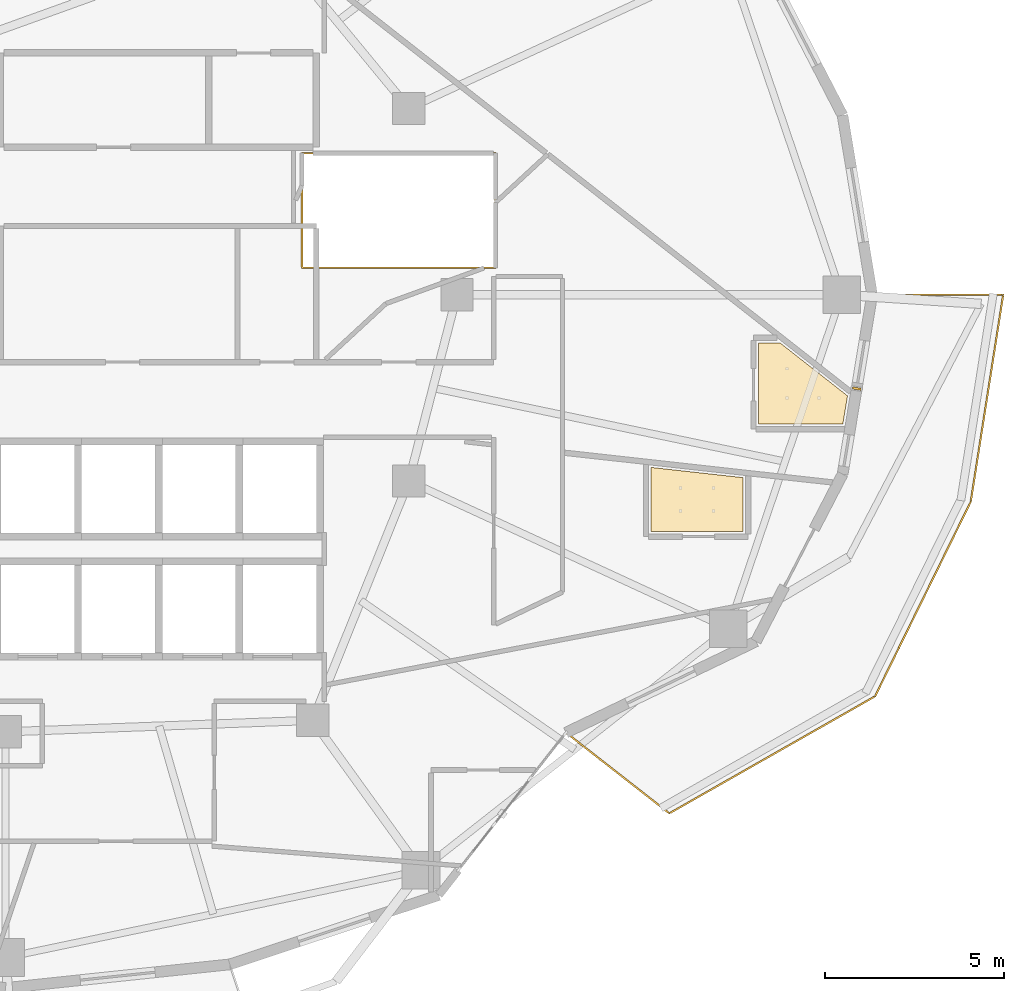
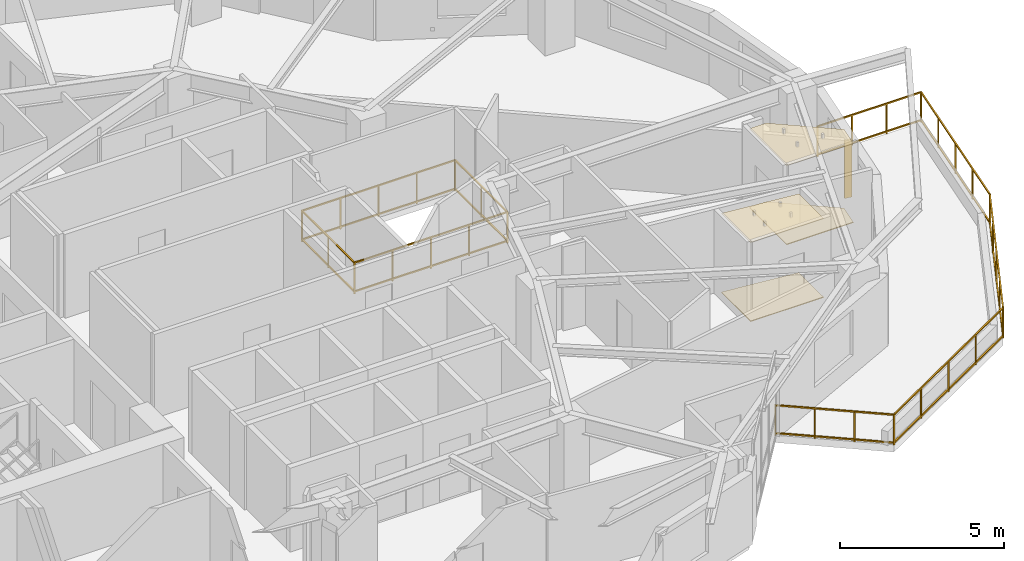
# One storey, part 17 of 18: 4 coverings, 2 railings, 1 shading device.
"""IFC4 building model written with IfcOpenShell, lengths in metres."""

from ifc_helpers import new_model, si_unit, direction, frame, origin, origin_2d, place, context, subcontext, project, spatial, polyline, rectangle, outline, extrude, material, layer, layer_set, type_object, element, save


model = new_model("IFC4")

# Units and contexts
model_context = context("Model", 3, precision=1e-05, world=origin(), true_north=direction((0.0, 1.0)))
body_context = subcontext(model_context, "Body", "Model", "MODEL_VIEW")
ifc_project = project(units=[si_unit("LENGTHUNIT", "METRE"), si_unit("AREAUNIT", "SQUARE_METRE"), si_unit("VOLUMEUNIT", "CUBIC_METRE"), si_unit("PLANEANGLEUNIT", "RADIAN"), si_unit("MASSUNIT", "GRAM", prefix="KILO")], contexts=[model_context])

# Site, building, storey
site_placement = place(None, origin())
site = spatial("IfcSite", under=ifc_project, at=site_placement, CompositionType="ELEMENT")
building_placement = place(site_placement, origin())
building = spatial("IfcBuilding", under=site, at=building_placement, Name="Kolvaren Gate Tower and Convention Centre", CompositionType="ELEMENT")
storey_placement = place(building_placement, frame((0.0, 0.0, 115.5)))
storey = spatial("IfcBuildingStorey", under=building, at=storey_placement, Name="L28", CompositionType="ELEMENT", Elevation=115.5)

# Coverings
ifc_material_1 = material(Name="Perforated Mineral-Fibre Acoustic Ceiling Tile 18 mm", Category="gypsum")
ifc_layer_1 = layer(ifc_material_1, 0.01806640625)
ifc_layer_set_1 = layer_set([ifc_layer_1], Name="Perforated Mineral-Fibre Acoustic Ceiling Tile 18 mm")
covering_type_1 = type_object("IfcCoveringType", Name="ARCH-COV-CEIL-18", PredefinedType="CEILING", material=ifc_layer_set_1)
covering_1_placement = place(storey_placement, frame((0.0, 0.0, 2.949951171875)))
element("IfcCovering", 1, at=covering_1_placement, inside=storey, type_object=covering_type_1, Name="En-suite Bathroom (HTL-L28-05) Acoustic Suspended Ceiling", PredefinedType="CEILING", context=body_context, shape_type="SweptSolid", body=[
    extrude(outline(polyline([(50.7099609375, 20.389892578125), (48.139892578125, 20.389892578125), (48.139892578125, 22.179931640625), (50.7099609375, 21.89501953125), (50.7099609375, 20.389892578125)])), origin(), (0.0, 0.0, 1.0), 0.01806640625),
])
covering_2_placement = place(storey_placement, frame((0.0, 0.0, 2.949951171875)))
element("IfcCovering", 2, at=covering_2_placement, inside=storey, type_object=covering_type_1, Name="En-suite Bathroom (HTL-L28-06) Acoustic Suspended Ceiling", PredefinedType="CEILING", context=body_context, shape_type="SweptSolid", body=[
    extrude(outline(polyline([(51.139892578125, 23.389892578125), (51.139892578125, 25.659912109375), (51.737060546875, 25.659912109375), (53.625, 24.177978515625), (53.4951171875, 23.389892578125), (51.139892578125, 23.389892578125)])), origin(), (0.0, 0.0, 1.0), 0.01806640625),
])
ifc_material_2 = material(Name="Honed Sabana Limestone Terrazzo Flooring 30 mm", Category="masonry")
ifc_layer_2 = layer(ifc_material_2, 0.030029296875)
ifc_layer_set_2 = layer_set([ifc_layer_2], Name="Honed Sabana Limestone Terrazzo Flooring 30 mm")
covering_type_2 = type_object("IfcCoveringType", Name="ARCH-COV-FLR-30", PredefinedType="FLOORING", material=ifc_layer_set_2)
covering_3_placement = place(storey_placement, origin())
element("IfcCovering", 3, at=covering_3_placement, inside=storey, type_object=covering_type_2, Name="En-suite Bathroom (HTL-L28-05) Interior Finish Flooring", PredefinedType="FLOORING", context=body_context, shape_type="SweptSolid", body=[
    extrude(outline(polyline([(50.7099609375, 20.389892578125), (48.139892578125, 20.389892578125), (48.139892578125, 22.179931640625), (50.7099609375, 21.89501953125), (50.7099609375, 20.389892578125)])), origin(), (0.0, 0.0, 1.0), 0.030029296875),
])
covering_4_placement = place(storey_placement, origin())
element("IfcCovering", 4, at=covering_4_placement, inside=storey, type_object=covering_type_2, Name="En-suite Bathroom (HTL-L28-06) Interior Finish Flooring", PredefinedType="FLOORING", context=body_context, shape_type="SweptSolid", body=[
    extrude(outline(polyline([(51.139892578125, 23.389892578125), (51.139892578125, 25.659912109375), (51.737060546875, 25.659912109375), (53.625, 24.177978515625), (53.4951171875, 23.389892578125), (51.139892578125, 23.389892578125)])), origin(), (0.0, 0.0, 1.0), 0.030029296875),
])

# Railings
ifc_material_3 = material(Name="Laminated Tempered Safety Glass Balustrade 21.5 mm", Category="glass")
railing_type_1 = type_object("IfcRailingType", Name="ARCH-RL-BALUST-1180", PredefinedType="BALUSTRADE", material=ifc_material_3)
railing_1_placement = place(storey_placement, frame((38.39990234375, 27.75, 0.0)))
element("IfcRailing", 5, at=railing_1_placement, inside=storey, type_object=railing_type_1, Name="Tower L28 Atrium Void Safety Balustrade", PredefinedType="BALUSTRADE", context=body_context, shape_type="SweptSolid", body=[
    extrude(rectangle(XDim=0.048095703125, YDim=0.048095703125, at=origin_2d()), frame((0.028076171875, 0.0, 1.15576171875), z_axis=(1.0, 0.0, 0.0), x_axis=(0.0, 1.0, 0.0)), (0.0, 0.0, 1.0), 5.343994140625),
    extrude(rectangle(XDim=0.048095703125, YDim=0.048095703125, at=origin_2d()), frame((0.028076171875, 0.0, 0.083984375), z_axis=(1.0, 0.0, 0.0), x_axis=(0.0, 1.0, 0.0)), (0.0, 0.0, 1.0), 5.343994140625),
    extrude(rectangle(XDim=0.048095703125, YDim=0.048095703125, at=origin_2d()), frame((5.400146484375, 0.028076171875, 1.15576171875), z_axis=(0.0, 1.0, 0.0), x_axis=(-1.0, 0.0, 0.0)), (0.0, 0.0, 1.0), 3.143798828125),
    extrude(rectangle(XDim=0.048095703125, YDim=0.048095703125, at=origin_2d()), frame((5.400146484375, 0.028076171875, 0.083984375), z_axis=(0.0, 1.0, 0.0), x_axis=(-1.0, 0.0, 0.0)), (0.0, 0.0, 1.0), 3.143798828125),
    extrude(rectangle(XDim=0.048095703125, YDim=0.048095703125, at=origin_2d()), frame((5.3720703125, 3.199951171875, 1.15576171875), z_axis=(-1.0, 0.0, 0.0), x_axis=(0.0, -1.0, 0.0)), (0.0, 0.0, 1.0), 5.343994140625),
    extrude(rectangle(XDim=0.048095703125, YDim=0.048095703125, at=origin_2d()), frame((5.3720703125, 3.199951171875, 0.083984375), z_axis=(-1.0, 0.0, 0.0), x_axis=(0.0, -1.0, 0.0)), (0.0, 0.0, 1.0), 5.343994140625),
    extrude(rectangle(XDim=0.048095703125, YDim=0.048095703125, at=origin_2d()), frame((0.0, 3.171875, 1.15576171875), z_axis=(0.0, -1.0, 0.0), x_axis=(1.0, 0.0, 0.0)), (0.0, 0.0, 1.0), 3.143798828125),
    extrude(rectangle(XDim=0.048095703125, YDim=0.048095703125, at=origin_2d()), frame((0.0, 3.171875, 0.083984375), z_axis=(0.0, -1.0, 0.0), x_axis=(1.0, 0.0, 0.0)), (0.0, 0.0, 1.0), 3.143798828125),
    extrude(rectangle(XDim=0.0419921875, YDim=0.0419921875, at=origin_2d()), origin(), (0.0, 0.0, 1.0), 1.179931640625),
    extrude(rectangle(XDim=0.0419921875, YDim=0.0419921875, at=origin_2d()), frame((5.400146484375, 0.0, 0.0)), (0.0, 0.0, 1.0), 1.179931640625),
    extrude(rectangle(XDim=0.0419921875, YDim=0.0419921875, at=origin_2d()), frame((1.35009765625, 0.0, 0.0)), (0.0, 0.0, 1.0), 1.1298828125),
    extrude(rectangle(XDim=0.0419921875, YDim=0.0419921875, at=origin_2d()), frame((2.7001953125, 0.0, 0.0)), (0.0, 0.0, 1.0), 1.1298828125),
    extrude(rectangle(XDim=0.0419921875, YDim=0.0419921875, at=origin_2d()), frame((4.050048828125, 0.0, 0.0)), (0.0, 0.0, 1.0), 1.1298828125),
    extrude(rectangle(XDim=0.0419921875, YDim=0.0419921875, at=origin_2d()), frame((5.400146484375, 3.199951171875, 0.0)), (0.0, 0.0, 1.0), 1.179931640625),
    extrude(rectangle(XDim=0.0419921875, YDim=0.0419921875, at=origin_2d()), frame((5.400146484375, 1.60009765625, 0.0)), (0.0, 0.0, 1.0), 1.1298828125),
    extrude(rectangle(XDim=0.0419921875, YDim=0.0419921875, at=origin_2d()), frame((0.0, 3.199951171875, 0.0)), (0.0, 0.0, 1.0), 1.179931640625),
    extrude(rectangle(XDim=0.0419921875, YDim=0.0419921875, at=origin_2d()), frame((4.050048828125, 3.199951171875, 0.0)), (0.0, 0.0, 1.0), 1.1298828125),
    extrude(rectangle(XDim=0.0419921875, YDim=0.0419921875, at=origin_2d()), frame((2.7001953125, 3.199951171875, 0.0)), (0.0, 0.0, 1.0), 1.1298828125),
    extrude(rectangle(XDim=0.0419921875, YDim=0.0419921875, at=origin_2d()), frame((1.35009765625, 3.199951171875, 0.0)), (0.0, 0.0, 1.0), 1.1298828125),
    extrude(rectangle(XDim=0.0419921875, YDim=0.0419921875, at=origin_2d()), frame((0.0, 1.60009765625, 0.0)), (0.0, 0.0, 1.0), 1.1298828125),
])
ifc_material_4 = material(Name="Brushed Stainless Steel Grade 316L", Category="steel")
railing_type_2 = type_object("IfcRailingType", Name="ARCH-RL-GUARD-1150", PredefinedType="GUARDRAIL", material=ifc_material_4)
railing_2_placement = place(storey_placement, frame((45.768798828125, 14.777099609375, 0.0)))
element("IfcRailing", 6, at=railing_2_placement, inside=storey, type_object=railing_type_2, Name="Tower L28 Terrace Perimeter Guardrail GR-4", PredefinedType="GUARDRAIL", context=body_context, shape_type="SweptSolid", body=[
    extrude(rectangle(XDim=0.048095703125, YDim=0.048095703125, at=origin_2d()), frame((0.022216796875, -0.017333984375, 1.1259765625), z_axis=(0.787963688807, -0.615721710776, 0.0), x_axis=(0.615721710776, 0.787963688807, 0.0)), (0.0, 0.0, 1.0), 3.603759765625),
    extrude(rectangle(XDim=0.048095703125, YDim=0.048095703125, at=origin_2d()), frame((0.022216796875, -0.017333984375, 0.083984375), z_axis=(0.787963688807, -0.615721710776, 0.0), x_axis=(0.615721710776, 0.787963688807, 0.0)), (0.0, 0.0, 1.0), 3.603759765625),
    extrude(rectangle(XDim=0.048095703125, YDim=0.048095703125, at=origin_2d()), frame((2.908203125, -2.239501953125, 1.1259765625), z_axis=(0.869196694318, 0.494466486819, 0.0), x_axis=(-0.494466486819, 0.869196694318, 0.0)), (0.0, 0.0, 1.0), 6.55029296875),
    extrude(rectangle(XDim=0.048095703125, YDim=0.048095703125, at=origin_2d()), frame((2.908203125, -2.239501953125, 0.083984375), z_axis=(0.869196694318, 0.494466486819, 0.0), x_axis=(-0.494466486819, 0.869196694318, 0.0)), (0.0, 0.0, 1.0), 6.55029296875),
    extrude(rectangle(XDim=0.048095703125, YDim=0.048095703125, at=origin_2d()), frame((8.638427734375, 1.038330078125, 1.1259765625), z_axis=(0.441237167293, 0.897390529368, 0.0), x_axis=(-0.897390529368, 0.441237167293, 0.0)), (0.0, 0.0, 1.0), 5.999755859375),
    extrude(rectangle(XDim=0.048095703125, YDim=0.048095703125, at=origin_2d()), frame((8.638427734375, 1.038330078125, 0.083984375), z_axis=(0.441237167293, 0.897390529368, 0.0), x_axis=(-0.897390529368, 0.441237167293, 0.0)), (0.0, 0.0, 1.0), 5.999755859375),
    extrude(rectangle(XDim=0.048095703125, YDim=0.048095703125, at=origin_2d()), frame((11.302490234375, 6.475341796875, 1.1259765625), z_axis=(0.154903030247, 0.987929679289, 0.0), x_axis=(-0.987929679289, 0.154903030247, 0.0)), (0.0, 0.0, 1.0), 5.78955078125),
    extrude(rectangle(XDim=0.048095703125, YDim=0.048095703125, at=origin_2d()), frame((11.302490234375, 6.475341796875, 0.083984375), z_axis=(0.154903030247, 0.987929679289, 0.0), x_axis=(-0.987929679289, 0.154903030247, 0.0)), (0.0, 0.0, 1.0), 5.78955078125),
    extrude(rectangle(XDim=0.048095703125, YDim=0.048095703125, at=origin_2d()), frame((12.175537109375, 12.222900390625, 1.1259765625), z_axis=(-1.0, 0.0, 0.0), x_axis=(0.0, -1.0, 0.0)), (0.0, 0.0, 1.0), 3.603759765625),
    extrude(rectangle(XDim=0.048095703125, YDim=0.048095703125, at=origin_2d()), frame((12.175537109375, 12.222900390625, 0.083984375), z_axis=(-1.0, 0.0, 0.0), x_axis=(0.0, -1.0, 0.0)), (0.0, 0.0, 1.0), 3.603759765625),
    extrude(rectangle(XDim=0.0419921875, YDim=0.0419921875, at=origin_2d()), origin(), (0.0, 0.0, 1.0), 1.14990234375),
    extrude(rectangle(XDim=0.0419921875, YDim=0.0419921875, at=origin_2d()), frame((2.8837890625, -2.25341796875, 0.0)), (0.0, 0.0, 1.0), 1.14990234375),
    extrude(rectangle(XDim=0.0419921875, YDim=0.0419921875, at=origin_2d()), frame((0.961181640625, -0.751220703125, 0.0)), (0.0, 0.0, 1.0), 1.099853515625),
    extrude(rectangle(XDim=0.0419921875, YDim=0.0419921875, at=origin_2d()), frame((1.922607421875, -1.502197265625, 0.0)), (0.0, 0.0, 1.0), 1.099853515625),
    extrude(rectangle(XDim=0.0419921875, YDim=0.0419921875, at=origin_2d()), frame((8.6259765625, 1.01318359375, 0.0)), (0.0, 0.0, 1.0), 1.14990234375),
    extrude(rectangle(XDim=0.0419921875, YDim=0.0419921875, at=origin_2d()), frame((4.3193359375, -1.436767578125, 0.0)), (0.0, 0.0, 1.0), 1.099853515625),
    extrude(rectangle(XDim=0.0419921875, YDim=0.0419921875, at=origin_2d()), frame((5.7548828125, -0.6201171875, 0.0)), (0.0, 0.0, 1.0), 1.099853515625),
    extrude(rectangle(XDim=0.0419921875, YDim=0.0419921875, at=origin_2d()), frame((7.1904296875, 0.196533203125, 0.0)), (0.0, 0.0, 1.0), 1.099853515625),
    extrude(rectangle(XDim=0.0419921875, YDim=0.0419921875, at=origin_2d()), frame((11.298095703125, 6.44775390625, 0.0)), (0.0, 0.0, 1.0), 1.14990234375),
    extrude(rectangle(XDim=0.0419921875, YDim=0.0419921875, at=origin_2d()), frame((9.2939453125, 2.371826171875, 0.0)), (0.0, 0.0, 1.0), 1.099853515625),
    extrude(rectangle(XDim=0.0419921875, YDim=0.0419921875, at=origin_2d()), frame((9.9619140625, 3.73046875, 0.0)), (0.0, 0.0, 1.0), 1.099853515625),
    extrude(rectangle(XDim=0.0419921875, YDim=0.0419921875, at=origin_2d()), frame((10.630126953125, 5.089111328125, 0.0)), (0.0, 0.0, 1.0), 1.099853515625),
    extrude(rectangle(XDim=0.0419921875, YDim=0.0419921875, at=origin_2d()), frame((12.20361328125, 12.222900390625, 0.0)), (0.0, 0.0, 1.0), 1.14990234375),
    extrude(rectangle(XDim=0.0419921875, YDim=0.0419921875, at=origin_2d()), frame((11.5244140625, 7.8916015625, 0.0)), (0.0, 0.0, 1.0), 1.099853515625),
    extrude(rectangle(XDim=0.0419921875, YDim=0.0419921875, at=origin_2d()), frame((11.7509765625, 9.33544921875, 0.0)), (0.0, 0.0, 1.0), 1.099853515625),
    extrude(rectangle(XDim=0.0419921875, YDim=0.0419921875, at=origin_2d()), frame((11.977294921875, 10.779052734375, 0.0)), (0.0, 0.0, 1.0), 1.099853515625),
    extrude(rectangle(XDim=0.0419921875, YDim=0.0419921875, at=origin_2d()), frame((8.543701171875, 12.222900390625, 0.0)), (0.0, 0.0, 1.0), 1.14990234375),
    extrude(rectangle(XDim=0.0419921875, YDim=0.0419921875, at=origin_2d()), frame((10.983642578125, 12.222900390625, 0.0)), (0.0, 0.0, 1.0), 1.099853515625),
    extrude(rectangle(XDim=0.0419921875, YDim=0.0419921875, at=origin_2d()), frame((9.763671875, 12.222900390625, 0.0)), (0.0, 0.0, 1.0), 1.099853515625),
])

# Shading device
ifc_material_5 = material(Name="Kiln-Fired Bogota Terracotta Ceramic Louvre Profile", Category="masonry")
shading_device_type = type_object("IfcShadingDeviceType", Name="ARCH-SHD-FIN-180", PredefinedType="JALOUSIE", material=ifc_material_5)
shading_device_placement = place(storey_placement, frame((53.88134765625, 24.3798828125, 0.219970703125), z_axis=(0.0, 0.0, 1.0), x_axis=(0.162389178836, 0.986726788223, 0.0)))
element("IfcShadingDevice", 7, at=shading_device_placement, inside=storey, type_object=shading_device_type, Name="Ceramic Vertical Brise-Soleil Fin FN-L28-23", PredefinedType="JALOUSIE", context=body_context, shape_type="SweptSolid", body=[
    extrude(rectangle(XDim=0.06005859375, YDim=0.239990234375, at=origin_2d()), origin(), (0.0, 0.0, 1.0), 2.14990234375),
])

save(model, "model.ifc")
